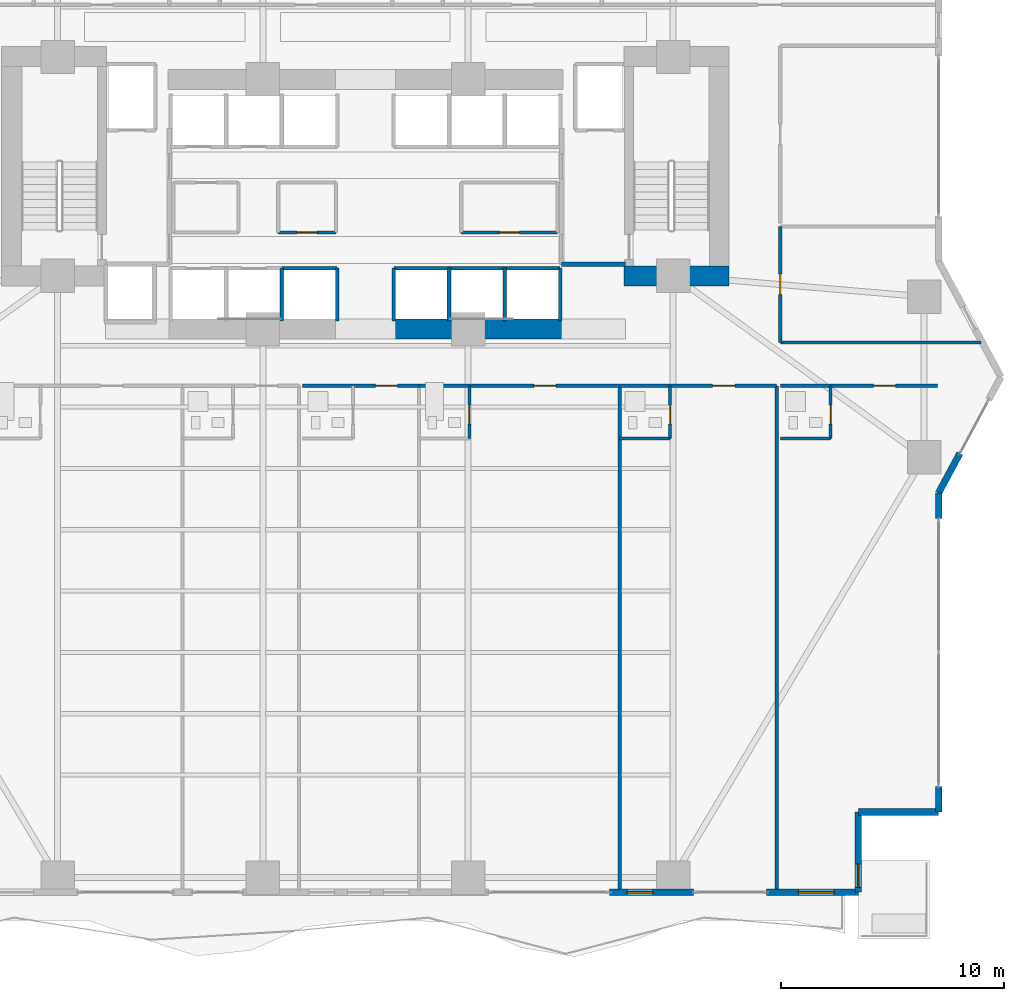
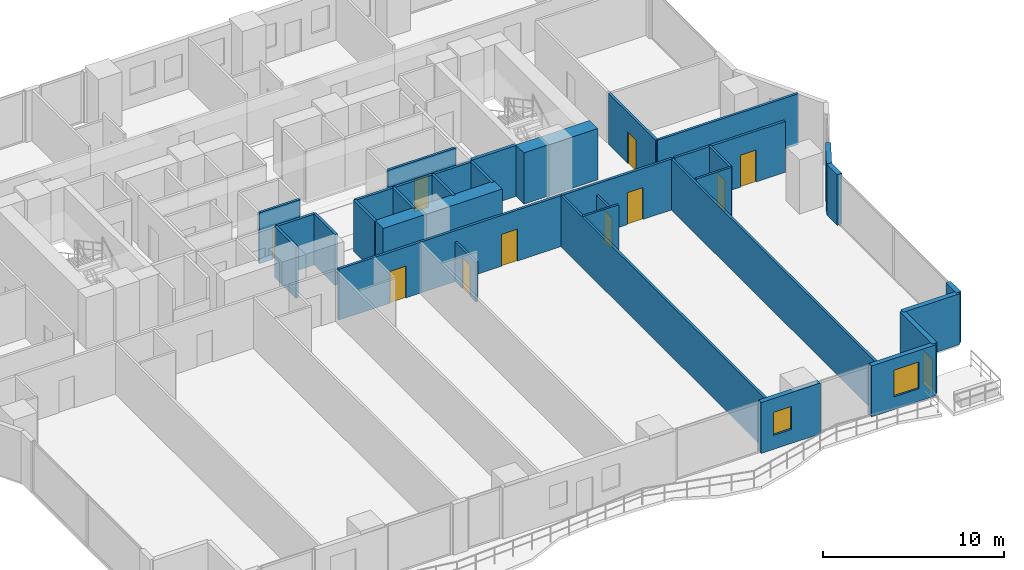
# One storey, part 19 of 29: 35 walls, 11 doors, 2 windows, 13 openings.
"""IFC4 building model written with IfcOpenShell, lengths in metres."""

from ifc_helpers import new_model, si_unit, direction, frame, frame_2d, origin, place, context, subcontext, project, spatial, rectangle, extrude, material, layer, layer_set, type_object, element, fill, save


model = new_model("IFC4")

# Units and contexts
model_context = context("Model", 3, precision=1e-05, world=origin(), true_north=direction((0.0, 1.0)))
body_context = subcontext(model_context, "Body", "Model", "MODEL_VIEW")
ifc_project = project(units=[si_unit("LENGTHUNIT", "METRE"), si_unit("AREAUNIT", "SQUARE_METRE"), si_unit("VOLUMEUNIT", "CUBIC_METRE"), si_unit("PLANEANGLEUNIT", "RADIAN"), si_unit("MASSUNIT", "GRAM", prefix="KILO")], contexts=[model_context])

# Site, building, storey
site_placement = place(None, origin())
site = spatial("IfcSite", under=ifc_project, at=site_placement, CompositionType="ELEMENT")
building_placement = place(site_placement, origin())
building = spatial("IfcBuilding", under=site, at=building_placement, Name="Zuhayl Quay Hotel", CompositionType="ELEMENT")
storey_placement = place(building_placement, frame((0.0, 0.0, 42.199951171875)))
storey = spatial("IfcBuildingStorey", under=building, at=storey_placement, Name="L09", CompositionType="ELEMENT", Elevation=42.199951171875)

# Walls
ifc_material_1 = material(Name="Concrete C70/85", Category="concrete")
ifc_layer_1 = layer(ifc_material_1, 0.89990234375, Name="Concrete C70/85", Category="concrete")
ifc_layer_set_1 = layer_set([ifc_layer_1], Name="Concrete C70/85")
wall_type_1 = type_object("IfcWallType", Name="WL_CORE_900", PredefinedType="SHEAR", material=ifc_layer_set_1)
wall_1_placement = place(storey_placement, frame((11.60009765625, 4.52001953125, 0.0), z_axis=(0.0, 0.0, 1.0), x_axis=(1.0, 0.0, 0.0)))
element("IfcWall", 1, at=wall_1_placement, inside=storey, type_object=wall_type_1, Name="L09 Core Shear Wall CW_SE", PredefinedType="SHEAR", context=body_context, shape_type="SweptSolid", body=[
    extrude(rectangle(XDim=4.7099609375, YDim=0.89990234375, at=frame_2d((2.35498046875, 0.0))), origin(), (0.0, 0.0, 1.0), 3.4599609375),
])
wall_2_placement = place(storey_placement, frame((1.25, 2.14990234375, 0.0), z_axis=(0.0, 0.0, 1.0), x_axis=(1.0, 0.0, 0.0)))
element("IfcWall", 2, at=wall_2_placement, inside=storey, type_object=wall_type_1, Name="L09 Core Shear Wall CW_SC_E", PredefinedType="SHEAR", context=body_context, shape_type="SweptSolid", body=[
    extrude(rectangle(XDim=7.60009765625, YDim=0.89990234375, at=frame_2d((3.800048828125, 0.0))), origin(), (0.0, 0.0, 1.0), 3.429931640625),
])
ifc_material_2 = material(Name="Precast concrete C45/55", Category="concrete")
ifc_layer_2 = layer(ifc_material_2, 0.300048828125, Name="Precast concrete C45/55", Category="concrete")
ifc_layer_set_2 = layer_set([ifc_layer_2], Name="Precast concrete C45/55")
wall_type_2 = type_object("IfcWallType", Name="WL_EXT_300", PredefinedType="STANDARD", material=ifc_layer_set_2)
wall_3_placement = place(storey_placement, frame((26.657958984375, -3.4208984375, 0.0), z_axis=(0.0, 0.0, 1.0), x_axis=(-0.474121438562, -0.88045946045, 0.0)))
element("IfcWall", 3, at=wall_3_placement, inside=storey, type_object=wall_type_2, Name="L09 Exterior Precast Wall ENV_L09_E13_EW2", PredefinedType="STANDARD", context=body_context, shape_type="SweptSolid", body=[
    extrude(rectangle(XDim=2.0205078125, YDim=0.300048828125, at=frame_2d((1.01025390625, 0.0))), origin(), (0.0, 0.0, 1.0), 3.429931640625),
])
wall_4_placement = place(storey_placement, frame((25.699951171875, -5.199951171875, 0.0), z_axis=(0.0, 0.0, 1.0), x_axis=(0.0, -1.0, 0.0)))
element("IfcWall", 4, at=wall_4_placement, inside=storey, type_object=wall_type_2, Name="L09 Exterior Precast Wall ENV_L09_E14_EW1", PredefinedType="STANDARD", context=body_context, shape_type="SweptSolid", body=[
    extrude(rectangle(XDim=1.150146484375, YDim=0.300048828125, at=frame_2d((0.5751953125, 0.0))), origin(), (0.0, 0.0, 1.0), 3.429931640625),
])
wall_5_placement = place(storey_placement, frame((25.699951171875, -18.35009765625, 0.0), z_axis=(0.0, 0.0, 1.0), x_axis=(0.0, -1.0, 0.0)))
element("IfcWall", 5, at=wall_5_placement, inside=storey, type_object=wall_type_2, Name="L09 Exterior Precast Wall ENV_L09_E14_EW2", PredefinedType="STANDARD", context=body_context, shape_type="SweptSolid", body=[
    extrude(rectangle(XDim=1.14990234375, YDim=0.300048828125, at=frame_2d((0.574951171875, 0.0))), origin(), (0.0, 0.0, 1.0), 3.429931640625),
])
wall_6_placement = place(storey_placement, frame((25.699951171875, -19.5, 0.0), z_axis=(0.0, 0.0, 1.0), x_axis=(-1.0, 0.0, 0.0)))
element("IfcWall", 6, at=wall_6_placement, inside=storey, type_object=wall_type_2, Name="L09 Exterior Precast Wall ENV_L09_EW15", PredefinedType="STANDARD", context=body_context, shape_type="SweptSolid", body=[
    extrude(rectangle(XDim=3.599853515625, YDim=0.300048828125, at=frame_2d((1.7998046875, 0.0))), origin(), (0.0, 0.0, 1.0), 3.429931640625),
])

# Wall, opening, door
wall_7_placement = place(storey_placement, frame((22.10009765625, -19.5, 0.0), z_axis=(0.0, 0.0, 1.0), x_axis=(0.0, -1.0, 0.0)))
wall_7 = element("IfcWall", 7, at=wall_7_placement, inside=storey, type_object=wall_type_2, Name="L09 Exterior Precast Wall ENV_L09_SP_SE", PredefinedType="STANDARD", context=body_context, shape_type="SweptSolid", body=[
    extrude(rectangle(XDim=3.60009765625, YDim=0.300048828125, at=frame_2d((1.800048828125, 0.0))), origin(), (0.0, 0.0, 1.0), 3.429931640625),
])
opening_1_placement = place(wall_7_placement, frame((2.330078125, 0.0, 0.0)))
opening_1 = element("IfcOpeningElement", 8, at=opening_1_placement, cuts=wall_7, Name="Opening DG1", PredefinedType="OPENING", context=body_context, shape_type="SweptSolid", body=[
    extrude(rectangle(XDim=1.050048828125, YDim=2.199951171875, at=frame_2d((0.52490234375, 1.10009765625))), frame((0.0, 0.159912109375, 0.0), z_axis=(0.0, -1.0, 0.0), x_axis=(1.0, 0.0, 0.0)), (0.0, 0.0, 1.0), 0.320068359375),
])
ifc_material_3 = material(Name="Anodised Aluminium and Dark Solar Glass", Category="aluminium")
door_type_1 = type_object("IfcDoorType", Name="DR_EXT_TERR_1050", OperationType="NOTDEFINED", PredefinedType="DOOR", material=ifc_material_3)
door_1_placement = place(opening_1_placement, origin())
door_1 = element("IfcDoor", 9, at=door_1_placement, inside=storey, type_object=door_type_1, Name="L09 Spiral Sky-Terrace SE Access Door", OperationType="SINGLE_SWING_LEFT", OverallHeight=2.199951171875, OverallWidth=1.050048828125, PredefinedType="DOOR", context=body_context, shape_type="SweptSolid", body=[
    extrude(rectangle(XDim=1.050048828125, YDim=2.199951171875, at=frame_2d((0.52490234375, 1.10009765625))), frame((0.0, 0.02490234375, 0.0), z_axis=(0.0, -1.0, 0.0), x_axis=(1.0, 0.0, 0.0)), (0.0, 0.0, 1.0), 0.050048828125),
])
fill(opening_1, door_1)

# Wall, opening, window
wall_8_placement = place(storey_placement, frame((22.10009765625, -23.10009765625, 0.0), z_axis=(0.0, 0.0, 1.0), x_axis=(-1.0, 0.0, 0.0)))
wall_8 = element("IfcWall", 10, at=wall_8_placement, inside=storey, type_object=wall_type_2, Name="L09 Exterior Precast Wall ENV_L09_S_EW1", PredefinedType="STANDARD", context=body_context, shape_type="SweptSolid", body=[
    extrude(rectangle(XDim=4.110107421875, YDim=0.300048828125, at=frame_2d((2.05517578125, 0.0))), origin(), (0.0, 0.0, 1.0), 3.429931640625),
])
opening_2_placement = place(wall_8_placement, frame((1.090087890625, 0.0, 0.85009765625)))
opening_2 = element("IfcOpeningElement", 11, at=opening_2_placement, cuts=wall_8, Name="Opening W01", PredefinedType="OPENING", context=body_context, shape_type="SweptSolid", body=[
    extrude(rectangle(XDim=1.60009765625, YDim=1.800048828125, at=frame_2d((0.800048828125, 0.89990234375))), frame((0.0, 0.159912109375, 0.0), z_axis=(0.0, -1.0, 0.0), x_axis=(1.0, 0.0, 0.0)), (0.0, 0.0, 1.0), 0.320068359375),
])
ifc_material_4 = material(Name="Dark Ceramic-Fritted Solar Glass", Category="glass")
window_type_1 = type_object("IfcWindowType", Name="WN_OPERABLE_1600", PartitioningType="DOUBLE_PANEL_VERTICAL", PredefinedType="WINDOW", material=ifc_material_4)
window_1_placement = place(opening_2_placement, origin())
window_1 = element("IfcWindow", 12, at=window_1_placement, inside=storey, type_object=window_type_1, Name="L09 Operable Facade Window 1-1", OverallHeight=1.800048828125, OverallWidth=1.60009765625, PartitioningType="SINGLE_PANEL", PredefinedType="WINDOW", context=body_context, shape_type="SweptSolid", body=[
    extrude(rectangle(XDim=1.60009765625, YDim=1.800048828125, at=frame_2d((0.800048828125, 0.89990234375))), frame((0.0, 0.030029296875, 0.0), z_axis=(0.0, -1.0, 0.0), x_axis=(1.0, 0.0, 0.0)), (0.0, 0.0, 1.0), 0.06005859375),
])
fill(opening_2, window_1)

wall_9_placement = place(storey_placement, frame((14.719970703125, -23.10009765625, 0.0), z_axis=(0.0, 0.0, 1.0), x_axis=(-1.0, 0.0, 0.0)))
wall_9 = element("IfcWall", 13, at=wall_9_placement, inside=storey, type_object=wall_type_2, Name="L09 Exterior Precast Wall ENV_L09_S_EW2", PredefinedType="STANDARD", context=body_context, shape_type="SweptSolid", body=[
    extrude(rectangle(XDim=3.77001953125, YDim=0.300048828125, at=frame_2d((1.885009765625, 0.0))), origin(), (0.0, 0.0, 1.0), 3.429931640625),
])
opening_3_placement = place(wall_9_placement, frame((1.8349609375, 0.0, 0.949951171875)))
opening_3 = element("IfcOpeningElement", 14, at=opening_3_placement, cuts=wall_9, Name="Opening W01N", PredefinedType="OPENING", context=body_context, shape_type="SweptSolid", body=[
    extrude(rectangle(XDim=1.14990234375, YDim=1.550048828125, at=frame_2d((0.574951171875, 0.77490234375))), frame((0.0, 0.159912109375, 0.0), z_axis=(0.0, -1.0, 0.0), x_axis=(1.0, 0.0, 0.0)), (0.0, 0.0, 1.0), 0.320068359375),
])
window_type_2 = type_object("IfcWindowType", Name="WN_NOTCH_1350", PartitioningType="SINGLE_PANEL", PredefinedType="WINDOW", material=ifc_material_4)
window_2_placement = place(opening_3_placement, origin())
window_2 = element("IfcWindow", 15, at=window_2_placement, inside=storey, type_object=window_type_2, Name="L09 Operable Facade Window 2-1", OverallHeight=1.550048828125, OverallWidth=1.14990234375, PartitioningType="SINGLE_PANEL", PredefinedType="WINDOW", context=body_context, shape_type="SweptSolid", body=[
    extrude(rectangle(XDim=1.14990234375, YDim=1.550048828125, at=frame_2d((0.574951171875, 0.77490234375))), frame((0.0, 0.030029296875, 0.0), z_axis=(0.0, -1.0, 0.0), x_axis=(1.0, 0.0, 0.0)), (0.0, 0.0, 1.0), 0.06005859375),
])
fill(opening_3, window_2)

# Wall, opening, door
ifc_material_5 = material(Name="Acoustic Gypsum Partition STC-58")
ifc_layer_3 = layer(ifc_material_5, 0.14990234375, Name="Acoustic Gypsum Partition STC-58")
ifc_layer_set_3 = layer_set([ifc_layer_3], Name="Acoustic Gypsum Partition STC-58")
wall_type_3 = type_object("IfcWallType", Name="WL_PART_150", PredefinedType="PARTITIONING", material=ifc_layer_set_3)
wall_10_placement = place(storey_placement, frame((-3.909912109375, 6.47998046875, 0.0), z_axis=(0.0, 0.0, 1.0), x_axis=(1.0, 0.0, 0.0)))
wall_10 = element("IfcWall", 16, at=wall_10_placement, inside=storey, type_object=wall_type_3, Name="L09 Partition IW_L09_CORE_BC_S", PredefinedType="PARTITIONING", context=body_context, shape_type="SweptSolid", body=[
    extrude(rectangle(XDim=2.58984375, YDim=0.14990234375, at=frame_2d((1.294921875, 0.0))), origin(), (0.0, 0.0, 1.0), 3.429931640625),
])
opening_4_placement = place(wall_10_placement, frame((0.844970703125, 0.0, 0.0)))
opening_4 = element("IfcOpeningElement", 17, at=opening_4_placement, cuts=wall_10, Name="Opening D06", PredefinedType="OPENING", context=body_context, shape_type="SweptSolid", body=[
    extrude(rectangle(XDim=0.89990234375, YDim=2.14990234375, at=frame_2d((0.449951171875, 1.074951171875))), frame((0.0, 0.0849609375, 0.0), z_axis=(0.0, -1.0, 0.0), x_axis=(1.0, 0.0, 0.0)), (0.0, 0.0, 1.0), 0.169921875),
])
ifc_material_6 = material(Name="Steel ASTM A992 Grade 50", Category="steel")
door_type_2 = type_object("IfcDoorType", Name="DR_INT_900", OperationType="NOTDEFINED", PredefinedType="DOOR", material=ifc_material_6)
door_2_placement = place(opening_4_placement, origin())
door_2 = element("IfcDoor", 18, at=door_2_placement, inside=storey, type_object=door_type_2, Name="L09 BMS Control Closet Door", OperationType="SINGLE_SWING_LEFT", OverallHeight=2.14990234375, OverallWidth=0.89990234375, PredefinedType="DOOR", context=body_context, shape_type="SweptSolid", body=[
    extrude(rectangle(XDim=0.89990234375, YDim=2.14990234375, at=frame_2d((0.449951171875, 1.074951171875))), frame((0.0, 0.02490234375, 0.0), z_axis=(0.0, -1.0, 0.0), x_axis=(1.0, 0.0, 0.0)), (0.0, 0.0, 1.0), 0.050048828125),
])
fill(opening_4, door_2)

wall_11_placement = place(storey_placement, frame((4.2900390625, 6.47998046875, 0.0), z_axis=(0.0, 0.0, 1.0), x_axis=(1.0, 0.0, 0.0)))
wall_11 = element("IfcWall", 19, at=wall_11_placement, inside=storey, type_object=wall_type_3, Name="L09 Partition IW_L09_CORE_VL_S", PredefinedType="PARTITIONING", context=body_context, shape_type="SweptSolid", body=[
    extrude(rectangle(XDim=4.320068359375, YDim=0.14990234375, at=frame_2d((2.16015625, 0.0))), origin(), (0.0, 0.0, 1.0), 3.429931640625),
])
opening_5_placement = place(wall_11_placement, frame((1.7099609375, 0.0, 0.0)))
opening_5 = element("IfcOpeningElement", 20, at=opening_5_placement, cuts=wall_11, Name="Opening D06", PredefinedType="OPENING", context=body_context, shape_type="SweptSolid", body=[
    extrude(rectangle(XDim=0.89990234375, YDim=2.14990234375, at=frame_2d((0.449951171875, 1.074951171875))), frame((0.0, 0.0849609375, 0.0), z_axis=(0.0, -1.0, 0.0), x_axis=(1.0, 0.0, 0.0)), (0.0, 0.0, 1.0), 0.169921875),
])
door_3_placement = place(opening_5_placement, origin())
door_3 = element("IfcDoor", 21, at=door_3_placement, inside=storey, type_object=door_type_2, Name="L09 Floor Valet Store Door", OperationType="SINGLE_SWING_RIGHT", OverallHeight=2.14990234375, OverallWidth=0.89990234375, PredefinedType="DOOR", context=body_context, shape_type="SweptSolid", body=[
    extrude(rectangle(XDim=0.89990234375, YDim=2.14990234375, at=frame_2d((0.449951171875, 1.074951171875))), frame((0.0, 0.02490234375, 0.0), z_axis=(0.0, -1.0, 0.0), x_axis=(1.0, 0.0, 0.0)), (0.0, 0.0, 1.0), 0.050048828125),
])
fill(opening_5, door_3)

# Walls
for number, where, z_axis, x_axis, name in (
    (22, (11.39990234375, -23.02001953125, 0.0), (0.0, 0.0, 1.0), (0.0, 1.0, 0.0), "L09 Partition IW_L09_SU03_E"),
    (23, (18.43994140625, -23.02001953125, 0.0), (0.0, 0.0, 1.0), (0.0, 1.0, 0.0), "L09 Partition IW_L09_SU04A_E"),
):
    element("IfcWall", number, at=place(storey_placement, frame(where, z_axis=z_axis, x_axis=x_axis)), inside=storey, type_object=wall_type_3, Name=name, PredefinedType="PARTITIONING", context=body_context, shape_type="SweptSolid", body=[
        extrude(rectangle(XDim=22.6201171875, YDim=0.14990234375, at=frame_2d((11.31005859375, 0.0))), origin(), (0.0, 0.0, 1.0), 3.429931640625),
    ])
wall_12_placement = place(storey_placement, frame((18.60009765625, 1.550048828125, 0.0), z_axis=(0.0, 0.0, 1.0), x_axis=(1.0, 0.0, 0.0)))
element("IfcWall", 24, at=wall_12_placement, inside=storey, type_object=wall_type_3, Name="L09 Partition IW_L09_HK_MAIN_S", PredefinedType="PARTITIONING", context=body_context, shape_type="SweptSolid", body=[
    extrude(rectangle(XDim=9.00537109375, YDim=0.14990234375, at=frame_2d((4.502685546875, 0.0))), origin(), (0.0, 0.0, 1.0), 3.429931640625),
])

# Wall, opening, door
ifc_layer_4 = layer(ifc_material_5, 0.159912109375, Name="Acoustic Gypsum Partition STC-58")
ifc_layer_set_4 = layer_set([ifc_layer_4], Name="Acoustic Gypsum Partition STC-58")
wall_type_4 = type_object("IfcWallType", Name="WL_PART_CORR_160", PredefinedType="PARTITIONING", material=ifc_layer_set_4)
wall_13_placement = place(storey_placement, frame((-2.820068359375, -0.39990234375, 0.0), z_axis=(0.0, 0.0, 1.0), x_axis=(1.0, 0.0, 0.0)))
wall_13 = element("IfcWall", 25, at=wall_13_placement, inside=storey, type_object=wall_type_4, Name="L09 Partition IW_L09_SU02B_COR", PredefinedType="PARTITIONING", context=body_context, shape_type="SweptSolid", body=[
    extrude(rectangle(XDim=5.219970703125, YDim=0.159912109375, at=frame_2d((2.60986328125, 0.0))), origin(), (0.0, 0.0, 1.0), 3.429931640625),
])
opening_6_placement = place(wall_13_placement, frame((3.260009765625, 0.0, 0.0)))
opening_6 = element("IfcOpeningElement", 26, at=opening_6_placement, cuts=wall_13, Name="Opening D03L", PredefinedType="OPENING", context=body_context, shape_type="SweptSolid", body=[
    extrude(rectangle(XDim=1.0, YDim=2.14990234375, at=frame_2d((0.5, 1.074951171875))), frame((0.0, 0.08984375, 0.0), z_axis=(0.0, -1.0, 0.0), x_axis=(1.0, 0.0, 0.0)), (0.0, 0.0, 1.0), 0.179931640625),
])
ifc_material_7 = material(Name="Solid Walnut Acoustic Fire Door")
door_type_3 = type_object("IfcDoorType", Name="DR_SUITE_1000", OperationType="NOTDEFINED", PredefinedType="DOOR", material=ifc_material_7)
door_4_placement = place(opening_6_placement, origin())
door_4 = element("IfcDoor", 27, at=door_4_placement, inside=storey, type_object=door_type_3, Name="L09 City-View Junior Suite L09-02B Entrance Door", OperationType="SINGLE_SWING_LEFT", OverallHeight=2.14990234375, OverallWidth=1.0, PredefinedType="DOOR", context=body_context, shape_type="SweptSolid", body=[
    extrude(rectangle(XDim=1.0, YDim=2.14990234375, at=frame_2d((0.5, 1.074951171875))), frame((0.0, 0.02490234375, 0.0), z_axis=(0.0, -1.0, 0.0), x_axis=(1.0, 0.0, 0.0)), (0.0, 0.0, 1.0), 0.050048828125),
])
fill(opening_6, door_4)

wall_14_placement = place(storey_placement, frame((2.39990234375, -0.39990234375, 0.0), z_axis=(0.0, 0.0, 1.0), x_axis=(1.0, 0.0, 0.0)))
wall_14 = element("IfcWall", 28, at=wall_14_placement, inside=storey, type_object=wall_type_4, Name="L09 Partition IW_L09_SU03_COR", PredefinedType="PARTITIONING", context=body_context, shape_type="SweptSolid", body=[
    extrude(rectangle(XDim=9.0, YDim=0.159912109375, at=frame_2d((4.5, 0.0))), origin(), (0.0, 0.0, 1.0), 3.429931640625),
])
opening_7_placement = place(wall_14_placement, frame((5.14990234375, 0.0, 0.0)))
opening_7 = element("IfcOpeningElement", 29, at=opening_7_placement, cuts=wall_14, Name="Opening D03L", PredefinedType="OPENING", context=body_context, shape_type="SweptSolid", body=[
    extrude(rectangle(XDim=1.0, YDim=2.14990234375, at=frame_2d((0.5, 1.074951171875))), frame((0.0, 0.08984375, 0.0), z_axis=(0.0, -1.0, 0.0), x_axis=(1.0, 0.0, 0.0)), (0.0, 0.0, 1.0), 0.179931640625),
])
door_5_placement = place(opening_7_placement, origin())
door_5 = element("IfcDoor", 30, at=door_5_placement, inside=storey, type_object=door_type_3, Name="L09 City-View Junior Suite L09-03 Entrance Door", OperationType="SINGLE_SWING_LEFT", OverallHeight=2.14990234375, OverallWidth=1.0, PredefinedType="DOOR", context=body_context, shape_type="SweptSolid", body=[
    extrude(rectangle(XDim=1.0, YDim=2.14990234375, at=frame_2d((0.5, 1.074951171875))), frame((0.0, 0.02490234375, 0.0), z_axis=(0.0, -1.0, 0.0), x_axis=(1.0, 0.0, 0.0)), (0.0, 0.0, 1.0), 0.050048828125),
])
fill(opening_7, door_5)

wall_15_placement = place(storey_placement, frame((11.39990234375, -0.39990234375, 0.0), z_axis=(0.0, 0.0, 1.0), x_axis=(1.0, 0.0, 0.0)))
wall_15 = element("IfcWall", 31, at=wall_15_placement, inside=storey, type_object=wall_type_4, Name="L09 Partition IW_L09_SU04A_COR", PredefinedType="PARTITIONING", context=body_context, shape_type="SweptSolid", body=[
    extrude(rectangle(XDim=7.0400390625, YDim=0.159912109375, at=frame_2d((3.52001953125, 0.0))), origin(), (0.0, 0.0, 1.0), 3.429931640625),
])
opening_8_placement = place(wall_15_placement, frame((4.169921875, 0.0, 0.0)))
opening_8 = element("IfcOpeningElement", 32, at=opening_8_placement, cuts=wall_15, Name="Opening D03L", PredefinedType="OPENING", context=body_context, shape_type="SweptSolid", body=[
    extrude(rectangle(XDim=1.0, YDim=2.14990234375, at=frame_2d((0.5, 1.074951171875))), frame((0.0, 0.08984375, 0.0), z_axis=(0.0, -1.0, 0.0), x_axis=(1.0, 0.0, 0.0)), (0.0, 0.0, 1.0), 0.179931640625),
])
door_6_placement = place(opening_8_placement, origin())
door_6 = element("IfcDoor", 33, at=door_6_placement, inside=storey, type_object=door_type_3, Name="L09 City-View Junior Suite L09-04A Entrance Door", OperationType="SINGLE_SWING_LEFT", OverallHeight=2.14990234375, OverallWidth=1.0, PredefinedType="DOOR", context=body_context, shape_type="SweptSolid", body=[
    extrude(rectangle(XDim=1.0, YDim=2.14990234375, at=frame_2d((0.5, 1.074951171875))), frame((0.0, 0.02490234375, 0.0), z_axis=(0.0, -1.0, 0.0), x_axis=(1.0, 0.0, 0.0)), (0.0, 0.0, 1.0), 0.050048828125),
])
fill(opening_8, door_6)

wall_16_placement = place(storey_placement, frame((18.60009765625, -0.39990234375, 0.0), z_axis=(0.0, 0.0, 1.0), x_axis=(1.0, 0.0, 0.0)))
wall_16 = element("IfcWall", 34, at=wall_16_placement, inside=storey, type_object=wall_type_4, Name="L09 Partition IW_L09_SU04B_COR", PredefinedType="PARTITIONING", context=body_context, shape_type="SweptSolid", body=[
    extrude(rectangle(XDim=7.039794921875, YDim=0.159912109375, at=frame_2d((3.52001953125, 0.0))), origin(), (0.0, 0.0, 1.0), 3.429931640625),
])
opening_9_placement = place(wall_16_placement, frame((4.169921875, 0.0, 0.0)))
opening_9 = element("IfcOpeningElement", 35, at=opening_9_placement, cuts=wall_16, Name="Opening D03L", PredefinedType="OPENING", context=body_context, shape_type="SweptSolid", body=[
    extrude(rectangle(XDim=1.0, YDim=2.14990234375, at=frame_2d((0.5, 1.074951171875))), frame((0.0, 0.08984375, 0.0), z_axis=(0.0, -1.0, 0.0), x_axis=(1.0, 0.0, 0.0)), (0.0, 0.0, 1.0), 0.179931640625),
])
door_7_placement = place(opening_9_placement, origin())
door_7 = element("IfcDoor", 36, at=door_7_placement, inside=storey, type_object=door_type_3, Name="L09 City-View Junior Suite L09-04B Entrance Door", OperationType="SINGLE_SWING_LEFT", OverallHeight=2.14990234375, OverallWidth=1.0, PredefinedType="DOOR", context=body_context, shape_type="SweptSolid", body=[
    extrude(rectangle(XDim=1.0, YDim=2.14990234375, at=frame_2d((0.5, 1.074951171875))), frame((0.0, 0.02490234375, 0.0), z_axis=(0.0, -1.0, 0.0), x_axis=(1.0, 0.0, 0.0)), (0.0, 0.0, 1.0), 0.050048828125),
])
fill(opening_9, door_7)

wall_17_placement = place(storey_placement, frame((18.60009765625, 1.550048828125, 0.0), z_axis=(0.0, 0.0, 1.0), x_axis=(0.0, 1.0, 0.0)))
wall_17 = element("IfcWall", 37, at=wall_17_placement, inside=storey, type_object=wall_type_4, Name="L09 Partition IW_L09_HK_MAIN_W", PredefinedType="PARTITIONING", context=body_context, shape_type="SweptSolid", body=[
    extrude(rectangle(XDim=5.199951171875, YDim=0.159912109375, at=frame_2d((2.60009765625, 0.0))), origin(), (0.0, 0.0, 1.0), 3.429931640625),
])
opening_10_placement = place(wall_17_placement, frame((2.139892578125, 0.0, 0.0)))
opening_10 = element("IfcOpeningElement", 38, at=opening_10_placement, cuts=wall_17, Name="Opening D05", PredefinedType="OPENING", context=body_context, shape_type="SweptSolid", body=[
    extrude(rectangle(XDim=0.919921875, YDim=2.1201171875, at=frame_2d((0.4599609375, 1.06005859375))), frame((0.0, 0.08984375, 0.0), z_axis=(0.0, -1.0, 0.0), x_axis=(1.0, 0.0, 0.0)), (0.0, 0.0, 1.0), 0.179931640625),
])
door_type_4 = type_object("IfcDoorType", Name="DR_INT_950", OperationType="NOTDEFINED", PredefinedType="DOOR", material=ifc_material_7)
door_8_placement = place(opening_10_placement, origin())
door_8 = element("IfcDoor", 39, at=door_8_placement, inside=storey, type_object=door_type_4, Name="L09 Housekeeping and Linen Room Door", OperationType="SINGLE_SWING_RIGHT", OverallHeight=2.1201171875, OverallWidth=0.919921875, PredefinedType="DOOR", context=body_context, shape_type="SweptSolid", body=[
    extrude(rectangle(XDim=0.919921875, YDim=2.1201171875, at=frame_2d((0.4599609375, 1.06005859375))), frame((0.0, 0.02490234375, 0.0), z_axis=(0.0, -1.0, 0.0), x_axis=(1.0, 0.0, 0.0)), (0.0, 0.0, 1.0), 0.050048828125),
])
fill(opening_10, door_8)

ifc_material_8 = material(Name="Moisture-Resistant Sanitarychase Gypsum")
ifc_layer_5 = layer(ifc_material_8, 0.135009765625, Name="Moisture-Resistant Sanitarychase Gypsum")
ifc_layer_set_5 = layer_set([ifc_layer_5], Name="Moisture-Resistant Sanitarychase Gypsum")
wall_type_5 = type_object("IfcWallType", Name="WL_PART_PLUMB_150", PredefinedType="PLUMBINGWALL", material=ifc_layer_set_5)
wall_18_placement = place(storey_placement, frame((4.659912109375, -2.760009765625, 0.0), z_axis=(0.0, 0.0, 1.0), x_axis=(0.0, 1.0, 0.0)))
wall_18 = element("IfcWall", 40, at=wall_18_placement, inside=storey, type_object=wall_type_5, Name="L09 Partition IW_L09_SU03_BE", PredefinedType="PLUMBINGWALL", context=body_context, shape_type="SweptSolid", body=[
    extrude(rectangle(XDim=2.360107421875, YDim=0.135009765625, at=frame_2d((1.18017578125, 0.0))), origin(), (0.0, 0.0, 1.0), 2.66796875),
])
opening_11_placement = place(wall_18_placement, frame((0.64990234375, 0.0, 0.0)))
opening_11 = element("IfcOpeningElement", 41, at=opening_11_placement, cuts=wall_18, Name="Opening D04", PredefinedType="OPENING", context=body_context, shape_type="SweptSolid", body=[
    extrude(rectangle(XDim=0.85009765625, YDim=2.10009765625, at=frame_2d((0.425048828125, 1.050048828125))), frame((0.0, 0.077392578125, 0.0), z_axis=(0.0, -1.0, 0.0), x_axis=(1.0, 0.0, 0.0)), (0.0, 0.0, 1.0), 0.155029296875),
])
ifc_material_9 = material(Name="Moisture-Resistant Walnut Veneer")
door_type_5 = type_object("IfcDoorType", Name="DR_BATH_850", OperationType="NOTDEFINED", PredefinedType="DOOR", material=ifc_material_9)
door_9_placement = place(opening_11_placement, origin())
door_9 = element("IfcDoor", 42, at=door_9_placement, inside=storey, type_object=door_type_5, Name="L09 City-View Junior Suite L09-03 En-Suite Door", OperationType="SINGLE_SWING_RIGHT", OverallHeight=2.10009765625, OverallWidth=0.85009765625, PredefinedType="DOOR", context=body_context, shape_type="SweptSolid", body=[
    extrude(rectangle(XDim=0.85009765625, YDim=2.10009765625, at=frame_2d((0.425048828125, 1.050048828125))), frame((0.0, 0.02490234375, 0.0), z_axis=(0.0, -1.0, 0.0), x_axis=(1.0, 0.0, 0.0)), (0.0, 0.0, 1.0), 0.050048828125),
])
fill(opening_11, door_9)

wall_19_placement = place(storey_placement, frame((13.659912109375, -2.760009765625, 0.0), z_axis=(0.0, 0.0, 1.0), x_axis=(0.0, 1.0, 0.0)))
wall_19 = element("IfcWall", 43, at=wall_19_placement, inside=storey, type_object=wall_type_5, Name="L09 Partition IW_L09_SU04A_BE", PredefinedType="PLUMBINGWALL", context=body_context, shape_type="SweptSolid", body=[
    extrude(rectangle(XDim=2.360107421875, YDim=0.135009765625, at=frame_2d((1.18017578125, 0.0))), origin(), (0.0, 0.0, 1.0), 2.66796875),
])
opening_12_placement = place(wall_19_placement, frame((0.64990234375, 0.0, 0.0)))
opening_12 = element("IfcOpeningElement", 44, at=opening_12_placement, cuts=wall_19, Name="Opening D04", PredefinedType="OPENING", context=body_context, shape_type="SweptSolid", body=[
    extrude(rectangle(XDim=0.85009765625, YDim=2.10009765625, at=frame_2d((0.425048828125, 1.050048828125))), frame((0.0, 0.077392578125, 0.0), z_axis=(0.0, -1.0, 0.0), x_axis=(1.0, 0.0, 0.0)), (0.0, 0.0, 1.0), 0.155029296875),
])
door_10_placement = place(opening_12_placement, origin())
door_10 = element("IfcDoor", 45, at=door_10_placement, inside=storey, type_object=door_type_5, Name="L09 City-View Junior Suite L09-04A En-Suite Door", OperationType="SINGLE_SWING_RIGHT", OverallHeight=2.10009765625, OverallWidth=0.85009765625, PredefinedType="DOOR", context=body_context, shape_type="SweptSolid", body=[
    extrude(rectangle(XDim=0.85009765625, YDim=2.10009765625, at=frame_2d((0.425048828125, 1.050048828125))), frame((0.0, 0.02490234375, 0.0), z_axis=(0.0, -1.0, 0.0), x_axis=(1.0, 0.0, 0.0)), (0.0, 0.0, 1.0), 0.050048828125),
])
fill(opening_12, door_10)

wall_20_placement = place(storey_placement, frame((20.860107421875, -2.760009765625, 0.0), z_axis=(0.0, 0.0, 1.0), x_axis=(0.0, 1.0, 0.0)))
wall_20 = element("IfcWall", 46, at=wall_20_placement, inside=storey, type_object=wall_type_5, Name="L09 Partition IW_L09_SU04B_BE", PredefinedType="PLUMBINGWALL", context=body_context, shape_type="SweptSolid", body=[
    extrude(rectangle(XDim=2.360107421875, YDim=0.135009765625, at=frame_2d((1.18017578125, 0.0))), origin(), (0.0, 0.0, 1.0), 3.429931640625),
])
opening_13_placement = place(wall_20_placement, frame((0.64990234375, 0.0, 0.0)))
opening_13 = element("IfcOpeningElement", 47, at=opening_13_placement, cuts=wall_20, Name="Opening D04", PredefinedType="OPENING", context=body_context, shape_type="SweptSolid", body=[
    extrude(rectangle(XDim=0.85009765625, YDim=2.10009765625, at=frame_2d((0.425048828125, 1.050048828125))), frame((0.0, 0.077392578125, 0.0), z_axis=(0.0, -1.0, 0.0), x_axis=(1.0, 0.0, 0.0)), (0.0, 0.0, 1.0), 0.155029296875),
])
door_11_placement = place(opening_13_placement, origin())
door_11 = element("IfcDoor", 48, at=door_11_placement, inside=storey, type_object=door_type_5, Name="L09 City-View Junior Suite L09-04B En-Suite Door", OperationType="SINGLE_SWING_RIGHT", OverallHeight=2.10009765625, OverallWidth=0.85009765625, PredefinedType="DOOR", context=body_context, shape_type="SweptSolid", body=[
    extrude(rectangle(XDim=0.85009765625, YDim=2.10009765625, at=frame_2d((0.425048828125, 1.050048828125))), frame((0.0, 0.02490234375, 0.0), z_axis=(0.0, -1.0, 0.0), x_axis=(1.0, 0.0, 0.0)), (0.0, 0.0, 1.0), 0.050048828125),
])
fill(opening_13, door_11)

# Walls
for number, where, z_axis, x_axis, name in (
    (49, (11.39990234375, -2.760009765625, 0.0), (0.0, 0.0, 1.0), (1.0, 0.0, 0.0), "L09 Partition IW_L09_SU04A_BS"),
    (50, (18.60009765625, -2.760009765625, 0.0), (0.0, 0.0, 1.0), (1.0, 0.0, 0.0), "L09 Partition IW_L09_SU04B_BS"),
):
    element("IfcWall", number, at=place(storey_placement, frame(where, z_axis=z_axis, x_axis=x_axis)), inside=storey, type_object=wall_type_5, Name=name, PredefinedType="PLUMBINGWALL", context=body_context, shape_type="SweptSolid", body=[
        extrude(rectangle(XDim=2.260009765625, YDim=0.135009765625, at=frame_2d((1.1298828125, 0.0))), origin(), (0.0, 0.0, 1.0), 3.429931640625),
    ])
ifc_material_10 = material(Name="Gypsum Fireboard Assembly EI-90")
ifc_layer_6 = layer(ifc_material_10, 0.1650390625, Name="Gypsum Fireboard Assembly EI-90")
ifc_layer_set_6 = layer_set([ifc_layer_6], Name="Gypsum Fireboard Assembly EI-90")
wall_type_6 = type_object("IfcWallType", Name="WL_PART_SHAFT_160", PredefinedType="PARTITIONING", material=ifc_layer_set_6)
wall_21_placement = place(storey_placement, frame((-3.75, 2.52001953125, 0.0), z_axis=(0.0, 0.0, 1.0), x_axis=(0.0, 1.0, 0.0)))
element("IfcWall", 51, at=wall_21_placement, inside=storey, type_object=wall_type_6, Name="L09 Partition IW_L09_SH_LP2_E", PredefinedType="PARTITIONING", context=body_context, shape_type="SweptSolid", body=[
    extrude(rectangle(XDim=2.35986328125, YDim=0.1650390625, at=frame_2d((1.179931640625, 0.0))), origin(), (0.0, 0.0, 1.0), 3.429931640625),
])
wall_22_placement = place(storey_placement, frame((-3.75, 4.8798828125, 0.0), z_axis=(0.0, 0.0, 1.0), x_axis=(1.0, 0.0, 0.0)))
element("IfcWall", 52, at=wall_22_placement, inside=storey, type_object=wall_type_6, Name="L09 Partition IW_L09_SH_MP1_F", PredefinedType="PARTITIONING", context=body_context, shape_type="SweptSolid", body=[
    extrude(rectangle(XDim=2.47998046875, YDim=0.1650390625, at=frame_2d((1.239990234375, 0.0))), origin(), (0.0, 0.0, 1.0), 3.429931640625),
])
wall_23_placement = place(storey_placement, frame((-1.27001953125, 2.52001953125, 0.0), z_axis=(0.0, 0.0, 1.0), x_axis=(0.0, 1.0, 0.0)))
element("IfcWall", 53, at=wall_23_placement, inside=storey, type_object=wall_type_6, Name="L09 Partition IW_L09_SH_MP1_E", PredefinedType="PARTITIONING", context=body_context, shape_type="SweptSolid", body=[
    extrude(rectangle(XDim=2.35986328125, YDim=0.1650390625, at=frame_2d((1.179931640625, 0.0))), origin(), (0.0, 0.0, 1.0), 3.429931640625),
])
wall_24_placement = place(storey_placement, frame((1.27001953125, 4.8798828125, 0.0), z_axis=(0.0, 0.0, 1.0), x_axis=(1.0, 0.0, 0.0)))
element("IfcWall", 54, at=wall_24_placement, inside=storey, type_object=wall_type_6, Name="L09 Partition IW_L09_SH_MP2_F", PredefinedType="PARTITIONING", context=body_context, shape_type="SweptSolid", body=[
    extrude(rectangle(XDim=2.47998046875, YDim=0.1650390625, at=frame_2d((1.239990234375, 0.0))), origin(), (0.0, 0.0, 1.0), 3.429931640625),
])
for number, where, z_axis, x_axis, name in (
    (55, (1.27001953125, 2.52001953125, 0.0), (0.0, 0.0, 1.0), (0.0, 1.0, 0.0), "L09 Partition IW_L09_SH_MP2_W"),
    (56, (3.75, 2.52001953125, 0.0), (0.0, 0.0, 1.0), (0.0, 1.0, 0.0), "L09 Partition IW_L09_SH_MP2_E"),
):
    element("IfcWall", number, at=place(storey_placement, frame(where, z_axis=z_axis, x_axis=x_axis)), inside=storey, type_object=wall_type_6, Name=name, PredefinedType="PARTITIONING", context=body_context, shape_type="SweptSolid", body=[
        extrude(rectangle(XDim=2.35986328125, YDim=0.1650390625, at=frame_2d((1.179931640625, 0.0))), origin(), (0.0, 0.0, 1.0), 3.429931640625),
    ])
wall_25_placement = place(storey_placement, frame((3.75, 4.8798828125, 0.0), z_axis=(0.0, 0.0, 1.0), x_axis=(1.0, 0.0, 0.0)))
element("IfcWall", 57, at=wall_25_placement, inside=storey, type_object=wall_type_6, Name="L09 Partition IW_L09_SH_HP1_F", PredefinedType="PARTITIONING", context=body_context, shape_type="SweptSolid", body=[
    extrude(rectangle(XDim=2.5, YDim=0.1650390625, at=frame_2d((1.25, 0.0))), origin(), (0.0, 0.0, 1.0), 3.429931640625),
])
wall_26_placement = place(storey_placement, frame((6.25, 2.52001953125, 0.0), z_axis=(0.0, 0.0, 1.0), x_axis=(0.0, 1.0, 0.0)))
element("IfcWall", 58, at=wall_26_placement, inside=storey, type_object=wall_type_6, Name="L09 Partition IW_L09_SH_HP1_E", PredefinedType="PARTITIONING", context=body_context, shape_type="SweptSolid", body=[
    extrude(rectangle(XDim=2.35986328125, YDim=0.1650390625, at=frame_2d((1.179931640625, 0.0))), origin(), (0.0, 0.0, 1.0), 3.429931640625),
])
wall_27_placement = place(storey_placement, frame((6.25, 4.8798828125, 0.0), z_axis=(0.0, 0.0, 1.0), x_axis=(1.0, 0.0, 0.0)))
element("IfcWall", 59, at=wall_27_placement, inside=storey, type_object=wall_type_6, Name="L09 Partition IW_L09_SH_HP2_F", PredefinedType="PARTITIONING", context=body_context, shape_type="SweptSolid", body=[
    extrude(rectangle(XDim=2.47998046875, YDim=0.1650390625, at=frame_2d((1.239990234375, 0.0))), origin(), (0.0, 0.0, 1.0), 3.429931640625),
])
wall_28_placement = place(storey_placement, frame((8.72998046875, 2.52001953125, 0.0), z_axis=(0.0, 0.0, 1.0), x_axis=(0.0, 1.0, 0.0)))
element("IfcWall", 60, at=wall_28_placement, inside=storey, type_object=wall_type_6, Name="L09 Partition IW_L09_SH_HP2_E", PredefinedType="PARTITIONING", context=body_context, shape_type="SweptSolid", body=[
    extrude(rectangle(XDim=2.35986328125, YDim=0.1650390625, at=frame_2d((1.179931640625, 0.0))), origin(), (0.0, 0.0, 1.0), 3.429931640625),
])
ifc_material_11 = material(Name="Gypsum Fireboard Assembly EI-120")
ifc_layer_7 = layer(ifc_material_11, 0.199951171875, Name="Gypsum Fireboard Assembly EI-120")
ifc_layer_set_7 = layer_set([ifc_layer_7], Name="Gypsum Fireboard Assembly EI-120")
wall_type_7 = type_object("IfcWallType", Name="WL_PART_SHAFT_200", PredefinedType="PARTITIONING", material=ifc_layer_set_7)
wall_29_placement = place(storey_placement, frame((8.800048828125, 5.050048828125, 0.0), z_axis=(0.0, 0.0, 1.0), x_axis=(1.0, 0.0, 0.0)))
element("IfcWall", 61, at=wall_29_placement, inside=storey, type_object=wall_type_7, Name="L09 Partition IW_L09_FSAE_E_S", PredefinedType="PARTITIONING", context=body_context, shape_type="SweptSolid", body=[
    extrude(rectangle(XDim=2.849853515625, YDim=0.199951171875, at=frame_2d((1.4248046875, 0.0))), origin(), (0.0, 0.0, 1.0), 3.429931640625),
])

save(model, "model.ifc")
